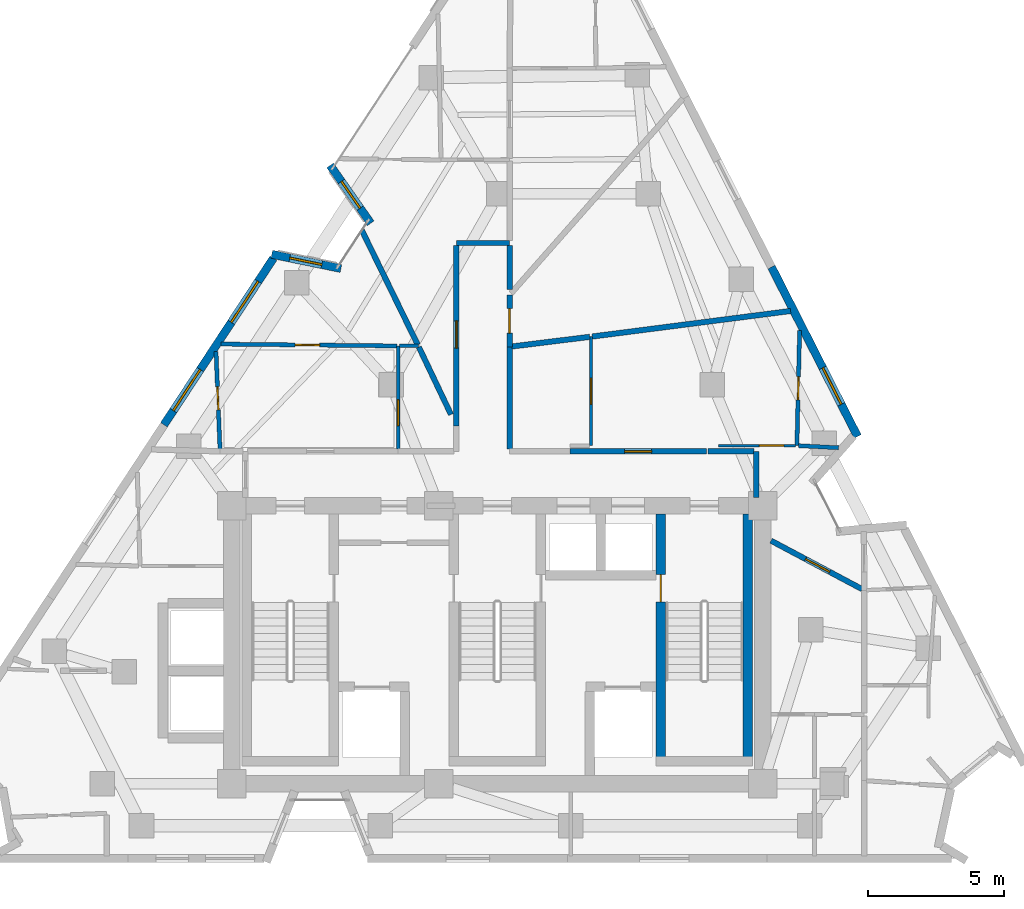
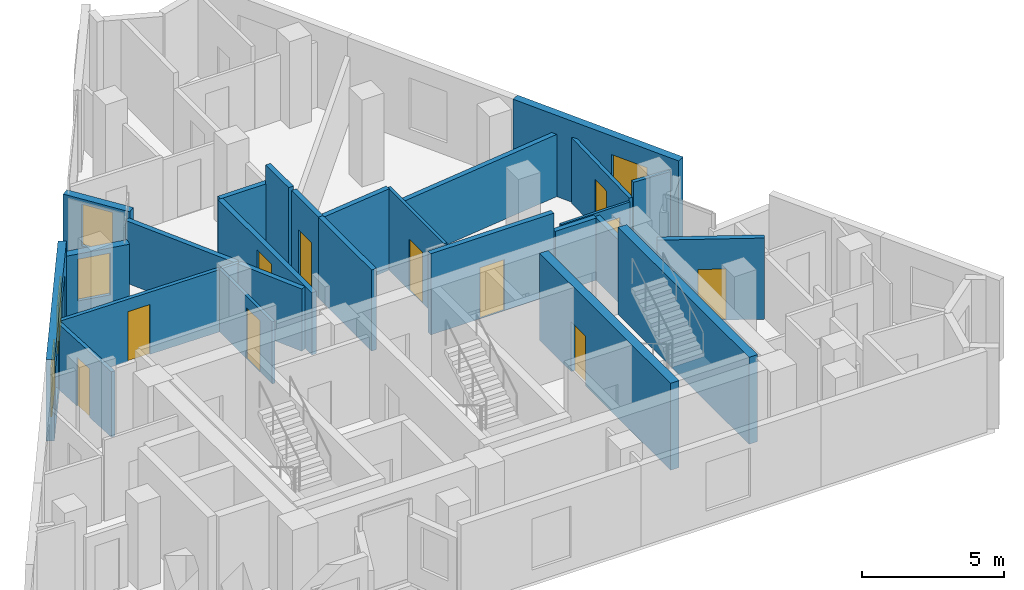
# One storey, part 7 of 10: 27 walls, 11 doors, 5 windows, 16 openings.
"""IFC4 building model written with IfcOpenShell, lengths in metres."""

from ifc_helpers import new_model, si_unit, direction, frame, frame_2d, origin, place, context, subcontext, project, spatial, rectangle, extrude, material, layer, layer_set, type_object, element, fill, save


model = new_model("IFC4")

# Units and contexts
model_context = context("Model", 3, precision=1e-05, world=origin(), true_north=direction((0.0, 1.0)))
body_context = subcontext(model_context, "Body", "Model", "MODEL_VIEW")
ifc_project = project(units=[si_unit("LENGTHUNIT", "METRE"), si_unit("AREAUNIT", "SQUARE_METRE"), si_unit("VOLUMEUNIT", "CUBIC_METRE"), si_unit("PLANEANGLEUNIT", "RADIAN"), si_unit("MASSUNIT", "GRAM", prefix="KILO")], contexts=[model_context])

# Site, building, storey
site_placement = place(None, origin())
site = spatial("IfcSite", under=ifc_project, at=site_placement, CompositionType="ELEMENT")
building_placement = place(site_placement, origin())
building = spatial("IfcBuilding", under=site, at=building_placement, Name="Almagre Mirador Tower", CompositionType="ELEMENT")
storey_placement = place(building_placement, frame((0.0, 0.0, 233.25)))
storey = spatial("IfcBuildingStorey", under=building, at=storey_placement, Name="L60", CompositionType="ELEMENT", Elevation=233.25)

# Wall, opening, window
ifc_material_1 = material(Name="Precast concrete C50/60", Category="concrete")
ifc_layer_1 = layer(ifc_material_1, 0.300048828125)
ifc_layer_set_1 = layer_set([ifc_layer_1], Name="Precast concrete C50/60")
wall_type_1 = type_object("IfcWallType", Name="WAL-EXT-300", PredefinedType="SOLIDWALL", material=ifc_layer_set_1)
wall_1_placement = place(storey_placement, frame((29.018798828125, 23.986083984375, 0.0), z_axis=(0.0, 0.0, 1.0), x_axis=(0.97951660883, -0.201363385515, 0.0)))
wall_1 = element("IfcWall", 1, at=wall_1_placement, inside=storey, type_object=wall_type_1, Name="L60 expressed almagre precast frame wall 01", PredefinedType="SOLIDWALL", context=body_context, shape_type="SweptSolid", body=[
    extrude(rectangle(XDim=2.593505859375, YDim=0.300048828125, at=frame_2d((1.296875, 0.0))), origin(), (0.0, 0.0, 1.0), 2.824951171875),
])
opening_1_placement = place(wall_1_placement, frame((0.675048828125, 0.0, 0.800048828125)))
opening_1 = element("IfcOpeningElement", 2, at=opening_1_placement, cuts=wall_1, Name="Opening WN-04", PredefinedType="OPENING", context=body_context, shape_type="SweptSolid", body=[
    extrude(rectangle(XDim=1.199951171875, YDim=1.800048828125, at=frame_2d((0.60009765625, 0.89990234375))), frame((0.0, 0.159902, 0.0), z_axis=(0.0, -1.0, 0.0), x_axis=(1.0, 0.0, 0.0)), (0.0, 0.0, 1.0), 0.320049),
])
ifc_material_2 = material(Name="Dark solar-control laminated hurricane glass", Category="glass")
window_type_1 = type_object("IfcWindowType", Name="WIN-1200X1800", PartitioningType="SINGLE_PANEL", PredefinedType="WINDOW", material=ifc_material_2)
window_1_placement = place(opening_1_placement, origin())
window_1 = element("IfcWindow", 3, at=window_1_placement, inside=storey, type_object=window_type_1, Name="L60 recessed hurricane window L60-UF-MB", OverallHeight=1.800048828125, OverallWidth=1.199951171875, PartitioningType="SINGLE_PANEL", PredefinedType="WINDOW", context=body_context, shape_type="SweptSolid", body=[
    extrude(rectangle(XDim=1.199951171875, YDim=1.800048828125, at=frame_2d((0.60009765625, 0.89990234375))), frame((0.0, 0.030029296875, 0.0), z_axis=(0.0, -1.0, 0.0), x_axis=(1.0, 0.0, 0.0)), (0.0, 0.0, 1.0), 0.06005859375),
])
fill(opening_1, window_1)

wall_2_placement = place(storey_placement, frame((32.650390625, 25.12451171875, 0.0), z_axis=(0.0, 0.0, 1.0), x_axis=(-0.573967598523, 0.818878010356, 0.0)))
wall_2 = element("IfcWall", 4, at=wall_2_placement, inside=storey, type_object=wall_type_1, Name="L60 expressed almagre precast frame wall 02", PredefinedType="SOLIDWALL", context=body_context, shape_type="SweptSolid", body=[
    extrude(rectangle(XDim=2.59375, YDim=0.300048828125, at=frame_2d((1.296875, 0.0))), origin(), (0.0, 0.0, 1.0), 2.824951171875),
])
opening_2_placement = place(wall_2_placement, frame((0.675048828125, 0.0, 0.800048828125)))
opening_2 = element("IfcOpeningElement", 5, at=opening_2_placement, cuts=wall_2, Name="Opening WN-04", PredefinedType="OPENING", context=body_context, shape_type="SweptSolid", body=[
    extrude(rectangle(XDim=1.199951171875, YDim=1.800048828125, at=frame_2d((0.60009765625, 0.89990234375))), frame((0.0, 0.159902, 0.0), z_axis=(0.0, -1.0, 0.0), x_axis=(1.0, 0.0, 0.0)), (0.0, 0.0, 1.0), 0.320049),
])
window_2_placement = place(opening_2_placement, origin())
window_2 = element("IfcWindow", 6, at=window_2_placement, inside=storey, type_object=window_type_1, Name="L60 recessed hurricane window L60-UJ-ST", OverallHeight=1.800048828125, OverallWidth=1.199951171875, PartitioningType="SINGLE_PANEL", PredefinedType="WINDOW", context=body_context, shape_type="SweptSolid", body=[
    extrude(rectangle(XDim=1.199951171875, YDim=1.800048828125, at=frame_2d((0.60009765625, 0.89990234375))), frame((0.0, 0.030029296875, 0.0), z_axis=(0.0, -1.0, 0.0), x_axis=(1.0, 0.0, 0.0)), (0.0, 0.0, 1.0), 0.06005859375),
])
fill(opening_2, window_2)

wall_3_placement = place(storey_placement, frame((47.369140625, 23.515625, 0.0), z_axis=(0.0, 0.0, 1.0), x_axis=(0.452872520075, -0.891575280367, 0.0)))
wall_3 = element("IfcWall", 7, at=wall_3_placement, inside=storey, type_object=wall_type_1, Name="L60 expressed almagre precast frame wall 10", PredefinedType="SOLIDWALL", context=body_context, shape_type="SweptSolid", body=[
    extrude(rectangle(XDim=6.97802734375, YDim=0.300048828125, at=frame_2d((3.489013671875, 0.0))), origin(), (0.0, 0.0, 1.0), 3.5),
])
opening_3_placement = place(wall_3_placement, frame((4.14990234375, 0.0, 0.60009765625)))
opening_3 = element("IfcOpeningElement", 8, at=opening_3_placement, cuts=wall_3, Name="Opening WN-03", PredefinedType="OPENING", context=body_context, shape_type="SweptSolid", body=[
    extrude(rectangle(XDim=1.5, YDim=2.10009765625, at=frame_2d((0.75, 1.050048828125))), frame((0.0, 0.159902, 0.0), z_axis=(0.0, -1.0, 0.0), x_axis=(1.0, 0.0, 0.0)), (0.0, 0.0, 1.0), 0.320049),
])
ifc_material_3 = material(Name="Dark solar-control laminated hurricane glass", Category="glass")
window_type_2 = type_object("IfcWindowType", Name="WIN-1500X2100", PartitioningType="DOUBLE_PANEL_VERTICAL", PredefinedType="WINDOW", material=ifc_material_3)
window_3_placement = place(opening_3_placement, origin())
window_3 = element("IfcWindow", 9, at=window_3_placement, inside=storey, type_object=window_type_2, Name="L60 recessed hurricane window L60-UG-HB", OverallHeight=2.10009765625, OverallWidth=1.5, PartitioningType="SINGLE_PANEL", PredefinedType="WINDOW", context=body_context, shape_type="SweptSolid", body=[
    extrude(rectangle(XDim=1.5, YDim=2.10009765625, at=frame_2d((0.75, 1.050048828125))), frame((0.0, 0.030029296875, 0.0), z_axis=(0.0, -1.0, 0.0), x_axis=(1.0, 0.0, 0.0)), (0.0, 0.0, 1.0), 0.06005859375),
])
fill(opening_3, window_3)

# Wall, openings, windows
wall_4_placement = place(storey_placement, frame((25.0615234375, 17.725341796875, 0.0), z_axis=(0.0, 0.0, 1.0), x_axis=(0.549051383212, 0.835788596831, 0.0)))
wall_4 = element("IfcWall", 10, at=wall_4_placement, inside=storey, type_object=wall_type_1, Name="L60 expressed almagre precast frame wall 32", PredefinedType="SOLIDWALL", context=body_context, shape_type="SweptSolid", body=[
    extrude(rectangle(XDim=7.3173828125, YDim=0.300048828125, at=frame_2d((3.65869140625, 0.0))), origin(), (0.0, 0.0, 1.0), 3.5),
])
opening_4_placement = place(wall_4_placement, frame((0.625, 0.0, 0.60009765625)))
opening_4 = element("IfcOpeningElement", 11, at=opening_4_placement, cuts=wall_4, Name="Opening WN-01", PredefinedType="OPENING", context=body_context, shape_type="SweptSolid", body=[
    extrude(rectangle(XDim=1.800048828125, YDim=2.10009765625, at=frame_2d((0.89990234375, 1.050048828125))), frame((0.0, 0.159902, 0.0), z_axis=(0.0, -1.0, 0.0), x_axis=(1.0, 0.0, 0.0)), (0.0, 0.0, 1.0), 0.320049),
])
opening_5_placement = place(wall_4_placement, frame((4.5, 0.0, 0.60009765625)))
opening_5 = element("IfcOpeningElement", 12, at=opening_5_placement, cuts=wall_4, Name="Opening WN-01", PredefinedType="OPENING", context=body_context, shape_type="SweptSolid", body=[
    extrude(rectangle(XDim=1.800048828125, YDim=2.10009765625, at=frame_2d((0.89990234375, 1.050048828125))), frame((0.0, 0.159902, 0.0), z_axis=(0.0, -1.0, 0.0), x_axis=(1.0, 0.0, 0.0)), (0.0, 0.0, 1.0), 0.320049),
])
ifc_material_4 = material(Name="Dark solar-control laminated hurricane glass", Category="glass")
window_type_3 = type_object("IfcWindowType", Name="WIN-1800X2100", PartitioningType="DOUBLE_PANEL_VERTICAL", PredefinedType="WINDOW", material=ifc_material_4)
window_4_placement = place(opening_4_placement, origin())
window_4 = element("IfcWindow", 13, at=window_4_placement, inside=storey, type_object=window_type_3, Name="L60 recessed hurricane window L60-UF-HB", OverallHeight=2.10009765625, OverallWidth=1.800048828125, PartitioningType="SINGLE_PANEL", PredefinedType="WINDOW", context=body_context, shape_type="SweptSolid", body=[
    extrude(rectangle(XDim=1.800048828125, YDim=2.10009765625, at=frame_2d((0.89990234375, 1.050048828125))), frame((0.0, 0.030029296875, 0.0), z_axis=(0.0, -1.0, 0.0), x_axis=(1.0, 0.0, 0.0)), (0.0, 0.0, 1.0), 0.06005859375),
])
fill(opening_4, window_4)
window_5_placement = place(opening_5_placement, origin())
window_5 = element("IfcWindow", 14, at=window_5_placement, inside=storey, type_object=window_type_3, Name="L60 recessed hurricane window L60-UF-MB", OverallHeight=2.10009765625, OverallWidth=1.800048828125, PartitioningType="SINGLE_PANEL", PredefinedType="WINDOW", context=body_context, shape_type="SweptSolid", body=[
    extrude(rectangle(XDim=1.800048828125, YDim=2.10009765625, at=frame_2d((0.89990234375, 1.050048828125))), frame((0.0, 0.030029296875, 0.0), z_axis=(0.0, -1.0, 0.0), x_axis=(1.0, 0.0, 0.0)), (0.0, 0.0, 1.0), 0.06005859375),
])
fill(opening_5, window_5)

# Wall, opening, door
ifc_material_5 = material(Name="Gypsum acoustic stud partition", Category="other")
ifc_layer_2 = layer(ifc_material_5, 0.10009765625)
ifc_layer_set_2 = layer_set([ifc_layer_2], Name="Gypsum acoustic stud partition")
wall_type_2 = type_object("IfcWallType", Name="WAL-PRT-100-CLS", PredefinedType="PARTITIONING", material=ifc_layer_set_2)
wall_5_placement = place(storey_placement, frame((45.419921875, 16.9599609375, 0.0), z_axis=(0.0, 0.0, 1.0), x_axis=(1.0, 0.0, 0.0)))
wall_5 = element("IfcWall", 15, at=wall_5_placement, inside=storey, type_object=wall_type_2, Name="L60 interior partition 053", PredefinedType="PARTITIONING", context=body_context, shape_type="SweptSolid", body=[
    extrude(rectangle(XDim=2.820068359375, YDim=0.10009765625, at=frame_2d((1.41015625, 0.0))), origin(), (0.0, 0.0, 1.0), 2.68505859375),
])
opening_6_placement = place(wall_5_placement, frame((1.5, 0.0, 0.0)))
opening_6 = element("IfcOpeningElement", 16, at=opening_6_placement, cuts=wall_5, Name="Opening UD-02", PredefinedType="OPENING", context=body_context, shape_type="SweptSolid", body=[
    extrude(rectangle(XDim=0.89990234375, YDim=2.14990234375, at=frame_2d((0.449951171875, 1.074951171875))), frame((0.0, 0.060049, 0.0), z_axis=(0.0, -1.0, 0.0), x_axis=(1.0, 0.0, 0.0)), (0.0, 0.0, 1.0), 0.120098),
])
ifc_material_6 = material(Name="Solid American walnut timber", Category="wood")
door_type_1 = type_object("IfcDoorType", Name="DOR-UNR-900X2150", OperationType="NOTDEFINED", PredefinedType="DOOR", material=ifc_material_6)
door_1_placement = place(opening_6_placement, origin())
door_1 = element("IfcDoor", 17, at=door_1_placement, inside=storey, type_object=door_type_1, Name="DR-1855 L60 interior door L60-UG-LV to L60-UG-MB", OperationType="SINGLE_SWING_RIGHT", OverallHeight=2.14990234375, OverallWidth=0.89990234375, PredefinedType="DOOR", context=body_context, shape_type="SweptSolid", body=[
    extrude(rectangle(XDim=0.89990234375, YDim=2.14990234375, at=frame_2d((0.449951171875, 1.074951171875))), frame((0.0, 0.02490234375, 0.0), z_axis=(0.0, -1.0, 0.0), x_axis=(1.0, 0.0, 0.0)), (0.0, 0.0, 1.0), 0.050048828125),
])
fill(opening_6, door_1)

ifc_material_7 = material(Name="Gypsum acoustic stud partition", Category="other")
ifc_layer_3 = layer(ifc_material_7, 0.125)
ifc_layer_set_3 = layer_set([ifc_layer_3], Name="Gypsum acoustic stud partition")
wall_type_3 = type_object("IfcWallType", Name="WAL-PRT-125-UTL", PredefinedType="PARTITIONING", material=ifc_layer_set_3)
wall_6_placement = place(storey_placement, frame((33.659912109375, 16.8349609375, 0.0), z_axis=(0.0, 0.0, 1.0), x_axis=(0.0, 1.0, 0.0)))
wall_6 = element("IfcWall", 18, at=wall_6_placement, inside=storey, type_object=wall_type_3, Name="L60 interior partition 045", PredefinedType="PARTITIONING", context=body_context, shape_type="SweptSolid", body=[
    extrude(rectangle(XDim=3.78515625, YDim=0.125, at=frame_2d((1.892578125, 0.0))), origin(), (0.0, 0.0, 1.0), 2.68505859375),
])
opening_7_placement = place(wall_6_placement, frame((0.8583984375, 0.0, 0.0)))
opening_7 = element("IfcOpeningElement", 19, at=opening_7_placement, cuts=wall_6, Name="Opening UD-01", PredefinedType="OPENING", context=body_context, shape_type="SweptSolid", body=[
    extrude(rectangle(XDim=0.949951171875, YDim=2.199951171875, at=frame_2d((0.47509765625, 1.10009765625))), frame((0.0, 0.0725, 0.0), z_axis=(0.0, -1.0, 0.0), x_axis=(1.0, 0.0, 0.0)), (0.0, 0.0, 1.0), 0.145),
])
ifc_material_8 = material(Name="Solid American walnut timber", Category="wood")
door_type_2 = type_object("IfcDoorType", Name="DOR-UNR-950X2200", OperationType="NOTDEFINED", PredefinedType="DOOR", material=ifc_material_8)
door_2_placement = place(opening_7_placement, origin())
door_2 = element("IfcDoor", 20, at=door_2_placement, inside=storey, type_object=door_type_2, Name="DR-1849 L60 interior door L60-UF-LV to L60-UF-KT", OperationType="SINGLE_SWING_RIGHT", OverallHeight=2.199951171875, OverallWidth=0.949951171875, PredefinedType="DOOR", context=body_context, shape_type="SweptSolid", body=[
    extrude(rectangle(XDim=0.949951171875, YDim=2.199951171875, at=frame_2d((0.47509765625, 1.10009765625))), frame((0.0, 0.02490234375, 0.0), z_axis=(0.0, -1.0, 0.0), x_axis=(1.0, 0.0, 0.0)), (0.0, 0.0, 1.0), 0.050048828125),
])
fill(opening_7, door_2)

# Wall
wall_7_placement = place(storey_placement, frame((34.39990234375, 20.6201171875, 0.0), z_axis=(0.0, 0.0, 1.0), x_axis=(-1.0, 0.0, 0.0)))
element("IfcWall", 21, at=wall_7_placement, inside=storey, type_object=wall_type_3, Name="L60 interior partition 047", PredefinedType="PARTITIONING", context=body_context, shape_type="SweptSolid", body=[
    extrude(rectangle(XDim=0.6923828125, YDim=0.125, at=frame_2d((0.34619140625, 0.0))), origin(), (0.0, 0.0, 1.0), 2.68505859375),
])

# Wall, opening, door
wall_8_placement = place(storey_placement, frame((40.739990234375, 20.9599609375, 0.0), z_axis=(0.0, 0.0, 1.0), x_axis=(0.0, -1.0, 0.0)))
wall_8 = element("IfcWall", 22, at=wall_8_placement, inside=storey, type_object=wall_type_3, Name="L60 interior partition 051", PredefinedType="PARTITIONING", context=body_context, shape_type="SweptSolid", body=[
    extrude(rectangle(XDim=4.0, YDim=0.125, at=frame_2d((2.0, 0.0))), origin(), (0.0, 0.0, 1.0), 3.5),
])
opening_8_placement = place(wall_8_placement, frame((1.52490234375, 0.0, 0.0)))
opening_8 = element("IfcOpeningElement", 23, at=opening_8_placement, cuts=wall_8, Name="Opening UD-01", PredefinedType="OPENING", context=body_context, shape_type="SweptSolid", body=[
    extrude(rectangle(XDim=0.949951171875, YDim=2.199951171875, at=frame_2d((0.47509765625, 1.10009765625))), frame((0.0, 0.0725, 0.0), z_axis=(0.0, -1.0, 0.0), x_axis=(1.0, 0.0, 0.0)), (0.0, 0.0, 1.0), 0.145),
])
door_3_placement = place(opening_8_placement, origin())
door_3 = element("IfcDoor", 24, at=door_3_placement, inside=storey, type_object=door_type_2, Name="DR-1853 L60 interior door L60-UG-LV to L60-UG-KT", OperationType="SINGLE_SWING_RIGHT", OverallHeight=2.199951171875, OverallWidth=0.949951171875, PredefinedType="DOOR", context=body_context, shape_type="SweptSolid", body=[
    extrude(rectangle(XDim=0.949951171875, YDim=2.199951171875, at=frame_2d((0.47509765625, 1.10009765625))), frame((0.0, 0.02490234375, 0.0), z_axis=(0.0, -1.0, 0.0), x_axis=(1.0, 0.0, 0.0)), (0.0, 0.0, 1.0), 0.050048828125),
])
fill(opening_8, door_3)

ifc_material_9 = material(Name="Gypsum acoustic stud partition", Category="other")
ifc_layer_4 = layer(ifc_material_9, 0.14990234375)
ifc_layer_set_4 = layer_set([ifc_layer_4], Name="Gypsum acoustic stud partition")
wall_type_4 = type_object("IfcWallType", Name="WAL-PRT-150-STD", PredefinedType="PARTITIONING", material=ifc_layer_set_4)
wall_9_placement = place(storey_placement, frame((26.971923828125, 20.41796875, 0.0), z_axis=(0.0, 0.0, 1.0), x_axis=(0.040645044175, -0.999173648764, 0.0)))
wall_9 = element("IfcWall", 25, at=wall_9_placement, inside=storey, type_object=wall_type_4, Name="L60 interior partition 044", PredefinedType="PARTITIONING", context=body_context, shape_type="SweptSolid", body=[
    extrude(rectangle(XDim=3.5859375, YDim=0.14990234375, at=frame_2d((1.79296875, 0.0))), origin(), (0.0, 0.0, 1.0), 2.820068359375),
])
opening_9_placement = place(wall_9_placement, frame((1.29833984375, 0.0, 0.0)))
opening_9 = element("IfcOpeningElement", 26, at=opening_9_placement, cuts=wall_9, Name="Opening UD-04", PredefinedType="OPENING", context=body_context, shape_type="SweptSolid", body=[
    extrude(rectangle(XDim=0.85009765625, YDim=2.10009765625, at=frame_2d((0.425048828125, 1.050048828125))), frame((0.0, 0.084951, 0.0), z_axis=(0.0, -1.0, 0.0), x_axis=(1.0, 0.0, 0.0)), (0.0, 0.0, 1.0), 0.169902),
])
ifc_material_10 = material(Name="Moisture-resistant oak timber", Category="wood")
door_type_3 = type_object("IfcDoorType", Name="DOR-UNR-850X2100", OperationType="NOTDEFINED", PredefinedType="DOOR", material=ifc_material_10)
door_4_placement = place(opening_9_placement, origin())
door_4 = element("IfcDoor", 27, at=door_4_placement, inside=storey, type_object=door_type_3, Name="DR-1850 L60 interior door L60-UF-LV to L60-UF-HB", OperationType="SINGLE_SWING_LEFT", OverallHeight=2.10009765625, OverallWidth=0.85009765625, PredefinedType="DOOR", context=body_context, shape_type="SweptSolid", body=[
    extrude(rectangle(XDim=0.85009765625, YDim=2.10009765625, at=frame_2d((0.425048828125, 1.050048828125))), frame((0.0, 0.02490234375, 0.0), z_axis=(0.0, -1.0, 0.0), x_axis=(1.0, 0.0, 0.0)), (0.0, 0.0, 1.0), 0.050048828125),
])
fill(opening_9, door_4)

wall_10_placement = place(storey_placement, frame((33.612548828125, 20.620361328125, 0.0), z_axis=(0.0, 0.0, 1.0), x_axis=(-0.999945270441, 0.010462128042, 0.0)))
wall_10 = element("IfcWall", 28, at=wall_10_placement, inside=storey, type_object=wall_type_4, Name="L60 interior partition 046", PredefinedType="PARTITIONING", context=body_context, shape_type="SweptSolid", body=[
    extrude(rectangle(XDim=6.4638671875, YDim=0.14990234375, at=frame_2d((3.23193359375, 0.0))), origin(), (0.0, 0.0, 1.0), 2.68505859375),
])
opening_10_placement = place(wall_10_placement, frame((2.835205078125, 0.0, 0.0)))
opening_10 = element("IfcOpeningElement", 29, at=opening_10_placement, cuts=wall_10, Name="Opening UD-02", PredefinedType="OPENING", context=body_context, shape_type="SweptSolid", body=[
    extrude(rectangle(XDim=0.89990234375, YDim=2.14990234375, at=frame_2d((0.449951171875, 1.074951171875))), frame((0.0, 0.084951, 0.0), z_axis=(0.0, -1.0, 0.0), x_axis=(1.0, 0.0, 0.0)), (0.0, 0.0, 1.0), 0.169902),
])
door_5_placement = place(opening_10_placement, origin())
door_5 = element("IfcDoor", 30, at=door_5_placement, inside=storey, type_object=door_type_1, Name="DR-1851 L60 interior door L60-UF-LV to L60-UF-MB", OperationType="SINGLE_SWING_RIGHT", OverallHeight=2.14990234375, OverallWidth=0.89990234375, PredefinedType="DOOR", context=body_context, shape_type="SweptSolid", body=[
    extrude(rectangle(XDim=0.89990234375, YDim=2.14990234375, at=frame_2d((0.449951171875, 1.074951171875))), frame((0.0, 0.02490234375, 0.0), z_axis=(0.0, -1.0, 0.0), x_axis=(1.0, 0.0, 0.0)), (0.0, 0.0, 1.0), 0.050048828125),
])
fill(opening_10, door_5)

wall_11_placement = place(storey_placement, frame((48.300048828125, 16.9599609375, 0.0), z_axis=(0.0, 0.0, 1.0), x_axis=(0.023576446584, 0.999722036951, 0.0)))
wall_11 = element("IfcWall", 31, at=wall_11_placement, inside=storey, type_object=wall_type_4, Name="L60 interior partition 050", PredefinedType="PARTITIONING", context=body_context, shape_type="SweptSolid", body=[
    extrude(rectangle(XDim=4.2353515625, YDim=0.14990234375, at=frame_2d((2.11767578125, 0.0))), origin(), (0.0, 0.0, 1.0), 2.820068359375),
])
opening_11_placement = place(wall_11_placement, frame((1.6787109375, 0.0, 0.0)))
opening_11 = element("IfcOpeningElement", 32, at=opening_11_placement, cuts=wall_11, Name="Opening UD-04", PredefinedType="OPENING", context=body_context, shape_type="SweptSolid", body=[
    extrude(rectangle(XDim=0.85009765625, YDim=2.10009765625, at=frame_2d((0.425048828125, 1.050048828125))), frame((0.0, 0.084951, 0.0), z_axis=(0.0, -1.0, 0.0), x_axis=(1.0, 0.0, 0.0)), (0.0, 0.0, 1.0), 0.169902),
])
door_6_placement = place(opening_11_placement, origin())
door_6 = element("IfcDoor", 33, at=door_6_placement, inside=storey, type_object=door_type_3, Name="DR-1854 L60 interior door L60-UG-LV to L60-UG-HB", OperationType="SINGLE_SWING_LEFT", OverallHeight=2.10009765625, OverallWidth=0.85009765625, PredefinedType="DOOR", context=body_context, shape_type="SweptSolid", body=[
    extrude(rectangle(XDim=0.85009765625, YDim=2.10009765625, at=frame_2d((0.425048828125, 1.050048828125))), frame((0.0, 0.02490234375, 0.0), z_axis=(0.0, -1.0, 0.0), x_axis=(1.0, 0.0, 0.0)), (0.0, 0.0, 1.0), 0.050048828125),
])
fill(opening_11, door_6)

# Wall
wall_12_placement = place(storey_placement, frame((48.360107421875, 16.9580078125, 0.0), z_axis=(0.0, 0.0, 1.0), x_axis=(0.998641489287, -0.052107349532, 0.0)))
element("IfcWall", 34, at=wall_12_placement, inside=storey, type_object=wall_type_4, Name="L60 interior partition 055", PredefinedType="PARTITIONING", context=body_context, shape_type="SweptSolid", body=[
    extrude(rectangle(XDim=1.475830078125, YDim=0.14990234375, at=frame_2d((0.73779296875, 0.0))), origin(), (0.0, 0.0, 1.0), 3.5),
])

# Wall, opening, door
ifc_material_11 = material(Name="Gypsum acoustic stud partition", Category="other")
ifc_layer_5 = layer(ifc_material_11, 0.199951171875)
ifc_layer_set_5 = layer_set([ifc_layer_5], Name="Gypsum acoustic stud partition")
wall_type_5 = type_object("IfcWallType", Name="WAL-PRT-200-EI60", PredefinedType="PARTITIONING", material=ifc_layer_set_5)
wall_13_placement = place(storey_placement, frame((44.97998046875, 16.75, 0.0), z_axis=(0.0, 0.0, 1.0), x_axis=(-1.0, 0.0, 0.0)))
wall_13 = element("IfcWall", 35, at=wall_13_placement, inside=storey, type_object=wall_type_5, Name="L60 interior partition 005", PredefinedType="PARTITIONING", context=body_context, shape_type="SweptSolid", body=[
    extrude(rectangle(XDim=5.02001953125, YDim=0.199951171875, at=frame_2d((2.510009765625, 0.0))), origin(), (0.0, 0.0, 1.0), 3.5),
])
opening_12_placement = place(wall_13_placement, frame((2.010009765625, 0.0, 0.0)))
opening_12 = element("IfcOpeningElement", 36, at=opening_12_placement, cuts=wall_13, Name="Opening ID-01", PredefinedType="OPENING", context=body_context, shape_type="SweptSolid", body=[
    extrude(rectangle(XDim=1.0, YDim=2.199951171875, at=frame_2d((0.5, 1.10009765625))), frame((0.0, 0.110098, 0.0), z_axis=(0.0, -1.0, 0.0), x_axis=(1.0, 0.0, 0.0)), (0.0, 0.0, 1.0), 0.219951),
])
ifc_material_12 = material(Name="Fire-rated walnut timber", Category="wood")
door_type_4 = type_object("IfcDoorType", Name="DOR-FD60-1000X2200", OperationType="NOTDEFINED", PredefinedType="DOOR", material=ifc_material_12)
door_7_placement = place(opening_12_placement, origin())
door_7 = element("IfcDoor", 37, at=door_7_placement, inside=storey, type_object=door_type_4, Name="DR-1852 L60 interior door L60-RCOR to L60-UG-LV", OperationType="SINGLE_SWING_LEFT", OverallHeight=2.199951171875, OverallWidth=1.0, PredefinedType="DOOR", context=body_context, shape_type="SweptSolid", body=[
    extrude(rectangle(XDim=1.0, YDim=2.199951171875, at=frame_2d((0.5, 1.10009765625))), frame((0.0, 0.02490234375, 0.0), z_axis=(0.0, -1.0, 0.0), x_axis=(1.0, 0.0, 0.0)), (0.0, 0.0, 1.0), 0.050048828125),
])
fill(opening_12, door_7)

# Walls
wall_14_placement = place(storey_placement, frame((37.75, 16.8349609375, 0.0), z_axis=(0.0, 0.0, 1.0), x_axis=(0.0, 1.0, 0.0)))
element("IfcWall", 38, at=wall_14_placement, inside=storey, type_object=wall_type_5, Name="L60 interior partition 007", PredefinedType="PARTITIONING", context=body_context, shape_type="SweptSolid", body=[
    extrude(rectangle(XDim=3.755126953125, YDim=0.199951171875, at=frame_2d((1.87744140625, 0.0))), origin(), (0.0, 0.0, 1.0), 3.5),
])
wall_15_placement = place(storey_placement, frame((46.800048828125, 15.050048828125, 0.0), z_axis=(0.0, 0.0, 1.0), x_axis=(0.0, 1.0, 0.0)))
element("IfcWall", 39, at=wall_15_placement, inside=storey, type_object=wall_type_5, Name="L60 interior partition 008", PredefinedType="PARTITIONING", context=body_context, shape_type="SweptSolid", body=[
    extrude(rectangle(XDim=1.699951171875, YDim=0.199951171875, at=frame_2d((0.85009765625, 0.0))), origin(), (0.0, 0.0, 1.0), 2.68505859375),
])
wall_16_placement = place(storey_placement, frame((46.715087890625, 16.75, 0.0), z_axis=(0.0, 0.0, 1.0), x_axis=(-1.0, 0.0, 0.0)))
element("IfcWall", 40, at=wall_16_placement, inside=storey, type_object=wall_type_5, Name="L60 interior partition 009", PredefinedType="PARTITIONING", context=body_context, shape_type="SweptSolid", body=[
    extrude(rectangle(XDim=1.675048828125, YDim=0.199951171875, at=frame_2d((0.83740234375, 0.0))), origin(), (0.0, 0.0, 1.0), 2.68505859375),
])

# Wall, opening, door
wall_17_placement = place(storey_placement, frame((37.75, 20.590087890625, 0.0), z_axis=(0.0, 0.0, 1.0), x_axis=(0.0, 1.0, 0.0)))
wall_17 = element("IfcWall", 41, at=wall_17_placement, inside=storey, type_object=wall_type_5, Name="L60 interior partition 010", PredefinedType="PARTITIONING", context=body_context, shape_type="SweptSolid", body=[
    extrude(rectangle(XDim=1.89990234375, YDim=0.199951171875, at=frame_2d((0.949951171875, 0.0))), origin(), (0.0, 0.0, 1.0), 3.5),
])
opening_13_placement = place(wall_17_placement, frame((0.5, 0.0, 0.0)))
opening_13 = element("IfcOpeningElement", 42, at=opening_13_placement, cuts=wall_17, Name="Opening ID-03", PredefinedType="OPENING", context=body_context, shape_type="SweptSolid", body=[
    extrude(rectangle(XDim=0.89990234375, YDim=2.10009765625, at=frame_2d((0.449951171875, 1.050048828125))), frame((0.0, 0.110098, 0.0), z_axis=(0.0, -1.0, 0.0), x_axis=(1.0, 0.0, 0.0)), (0.0, 0.0, 1.0), 0.219951),
])
ifc_material_13 = material(Name="Fire-rated hollow steel", Category="steel")
door_type_5 = type_object("IfcDoorType", Name="DOR-FD60-900X2100", OperationType="NOTDEFINED", PredefinedType="DOOR", material=ifc_material_13)
door_8_placement = place(opening_13_placement, origin())
door_8 = element("IfcDoor", 43, at=door_8_placement, inside=storey, type_object=door_type_5, Name="DR-1839 L60 interior door L60-RCOR to L60-RST-H", OperationType="SINGLE_SWING_LEFT", OverallHeight=2.10009765625, OverallWidth=0.89990234375, PredefinedType="DOOR", context=body_context, shape_type="SweptSolid", body=[
    extrude(rectangle(XDim=0.89990234375, YDim=2.10009765625, at=frame_2d((0.449951171875, 1.050048828125))), frame((0.0, 0.02490234375, 0.0), z_axis=(0.0, -1.0, 0.0), x_axis=(1.0, 0.0, 0.0)), (0.0, 0.0, 1.0), 0.050048828125),
])
fill(opening_13, door_8)

# Wall
wall_18_placement = place(storey_placement, frame((37.75, 24.39990234375, 0.0), z_axis=(0.0, 0.0, 1.0), x_axis=(-1.0, 0.0, 0.0)))
element("IfcWall", 44, at=wall_18_placement, inside=storey, type_object=wall_type_5, Name="L60 interior partition 011", PredefinedType="PARTITIONING", context=body_context, shape_type="SweptSolid", body=[
    extrude(rectangle(XDim=1.949951171875, YDim=0.199951171875, at=frame_2d((0.97509765625, 0.0))), origin(), (0.0, 0.0, 1.0), 2.68505859375),
])

# Wall, opening, door
wall_19_placement = place(storey_placement, frame((35.800048828125, 24.31494140625, 0.0), z_axis=(0.0, 0.0, 1.0), x_axis=(0.0, -1.0, 0.0)))
wall_19 = element("IfcWall", 45, at=wall_19_placement, inside=storey, type_object=wall_type_5, Name="L60 interior partition 012", PredefinedType="PARTITIONING", context=body_context, shape_type="SweptSolid", body=[
    extrude(rectangle(XDim=6.635009765625, YDim=0.199951171875, at=frame_2d((3.3173828125, 0.0))), origin(), (0.0, 0.0, 1.0), 2.68505859375),
])
opening_14_placement = place(wall_19_placement, frame((2.77490234375, 0.0, 0.0)))
opening_14 = element("IfcOpeningElement", 46, at=opening_14_placement, cuts=wall_19, Name="Opening ID-01", PredefinedType="OPENING", context=body_context, shape_type="SweptSolid", body=[
    extrude(rectangle(XDim=1.0, YDim=2.199951171875, at=frame_2d((0.5, 1.10009765625))), frame((0.0, 0.110098, 0.0), z_axis=(0.0, -1.0, 0.0), x_axis=(1.0, 0.0, 0.0)), (0.0, 0.0, 1.0), 0.219951),
])
door_9_placement = place(opening_14_placement, origin())
door_9 = element("IfcDoor", 47, at=door_9_placement, inside=storey, type_object=door_type_4, Name="DR-1856 L60 interior door L60-RCOR to L60-UJ-ST", OperationType="SINGLE_SWING_LEFT", OverallHeight=2.199951171875, OverallWidth=1.0, PredefinedType="DOOR", context=body_context, shape_type="SweptSolid", body=[
    extrude(rectangle(XDim=1.0, YDim=2.199951171875, at=frame_2d((0.5, 1.10009765625))), frame((0.0, 0.02490234375, 0.0), z_axis=(0.0, -1.0, 0.0), x_axis=(1.0, 0.0, 0.0)), (0.0, 0.0, 1.0), 0.050048828125),
])
fill(opening_14, door_9)

# Wall
wall_20_placement = place(storey_placement, frame((37.75, 22.68505859375, 0.0), z_axis=(0.0, 0.0, 1.0), x_axis=(0.0, 1.0, 0.0)))
element("IfcWall", 48, at=wall_20_placement, inside=storey, type_object=wall_type_5, Name="L60 interior partition 013", PredefinedType="PARTITIONING", context=body_context, shape_type="SweptSolid", body=[
    extrude(rectangle(XDim=1.6298828125, YDim=0.199951171875, at=frame_2d((0.81494140625, 0.0))), origin(), (0.0, 0.0, 1.0), 3.5),
])

# Wall, opening, door
wall_21_placement = place(storey_placement, frame((50.695068359375, 11.68994140625, 0.0), z_axis=(0.0, 0.0, 1.0), x_axis=(-0.882785979597, 0.469775386996, 0.0)))
wall_21 = element("IfcWall", 49, at=wall_21_placement, inside=storey, type_object=wall_type_5, Name="L60 interior partition 028", PredefinedType="PARTITIONING", context=body_context, shape_type="SweptSolid", body=[
    extrude(rectangle(XDim=3.7890625, YDim=0.199951171875, at=frame_2d((1.89453125, 0.0))), origin(), (0.0, 0.0, 1.0), 3.5),
])
opening_15_placement = place(wall_21_placement, frame((1.35205078125, 0.0, 0.0)))
opening_15 = element("IfcOpeningElement", 50, at=opening_15_placement, cuts=wall_21, Name="Opening ID-01", PredefinedType="OPENING", context=body_context, shape_type="SweptSolid", body=[
    extrude(rectangle(XDim=1.0, YDim=2.199951171875, at=frame_2d((0.5, 1.10009765625))), frame((0.0, 0.110098, 0.0), z_axis=(0.0, -1.0, 0.0), x_axis=(1.0, 0.0, 0.0)), (0.0, 0.0, 1.0), 0.219951),
])
door_10_placement = place(opening_15_placement, origin())
door_10 = element("IfcDoor", 51, at=door_10_placement, inside=storey, type_object=door_type_4, Name="DR-1862 L60 interior door L60-UC-ST to L60-UG-MB", OperationType="SINGLE_SWING_LEFT", OverallHeight=2.199951171875, OverallWidth=1.0, PredefinedType="DOOR", context=body_context, shape_type="SweptSolid", body=[
    extrude(rectangle(XDim=1.0, YDim=2.199951171875, at=frame_2d((0.5, 1.10009765625))), frame((0.0, 0.02490234375, 0.0), z_axis=(0.0, -1.0, 0.0), x_axis=(1.0, 0.0, 0.0)), (0.0, 0.0, 1.0), 0.050048828125),
])
fill(opening_15, door_10)

# Walls
wall_22_placement = place(storey_placement, frame((35.60009765625, 18.10009765625, 0.0), z_axis=(0.0, 0.0, 1.0), x_axis=(-0.429975029467, 0.902840780002, 0.0)))
element("IfcWall", 52, at=wall_22_placement, inside=storey, type_object=wall_type_5, Name="L60 interior partition 048", PredefinedType="PARTITIONING", context=body_context, shape_type="SweptSolid", body=[
    extrude(rectangle(XDim=2.74365234375, YDim=0.199951171875, at=frame_2d((1.371826171875, 0.0))), origin(), (0.0, 0.0, 1.0), 2.68505859375),
])
wall_23_placement = place(storey_placement, frame((34.379150390625, 20.66259765625, 0.0), z_axis=(0.0, 0.0, 1.0), x_axis=(-0.438742234656, 0.898612959805, 0.0)))
element("IfcWall", 53, at=wall_23_placement, inside=storey, type_object=wall_type_5, Name="L60 interior partition 049", PredefinedType="PARTITIONING", context=body_context, shape_type="SweptSolid", body=[
    extrude(rectangle(XDim=4.6796875, YDim=0.199951171875, at=frame_2d((2.33984375, 0.0))), origin(), (0.0, 0.0, 1.0), 2.68505859375),
])
wall_24_placement = place(storey_placement, frame((48.068115234375, 21.904052734375, 0.0), z_axis=(0.0, 0.0, 1.0), x_axis=(-0.991803716191, -0.127770843899, 0.0)))
element("IfcWall", 54, at=wall_24_placement, inside=storey, type_object=wall_type_5, Name="L60 interior partition 054", PredefinedType="PARTITIONING", context=body_context, shape_type="SweptSolid", body=[
    extrude(rectangle(XDim=7.341064453125, YDim=0.199951171875, at=frame_2d((3.67041015625, 0.0))), origin(), (0.0, 0.0, 1.0), 2.68505859375),
])
wall_25_placement = place(storey_placement, frame((40.69287109375, 20.9541015625, 0.0), z_axis=(0.0, 0.0, 1.0), x_axis=(-0.992428411634, -0.122824459212, 0.0)))
element("IfcWall", 55, at=wall_25_placement, inside=storey, type_object=wall_type_5, Name="L60 interior partition 056", PredefinedType="PARTITIONING", context=body_context, shape_type="SweptSolid", body=[
    extrude(rectangle(XDim=2.880126953125, YDim=0.199951171875, at=frame_2d((1.43994140625, 0.0))), origin(), (0.0, 0.0, 1.0), 3.5),
])

# Wall, opening, door
ifc_material_14 = material(Name="Concrete C60/75", Category="concrete")
ifc_layer_6 = layer(ifc_material_14, 0.35009765625)
ifc_layer_set_6 = layer_set([ifc_layer_6], Name="Concrete C60/75")
wall_type_6 = type_object("IfcWallType", Name="WAL-SHF-350", PredefinedType="SOLIDWALL", material=ifc_layer_set_6)
wall_26_placement = place(storey_placement, frame((43.300048828125, 5.199951171875, 0.0), z_axis=(0.0, 0.0, 1.0), x_axis=(0.0, 1.0, 0.0)))
wall_26 = element("IfcWall", 56, at=wall_26_placement, inside=storey, type_object=wall_type_6, Name="L60 shaft wall ST3-W", PredefinedType="SOLIDWALL", context=body_context, shape_type="SweptSolid", body=[
    extrude(rectangle(XDim=9.25, YDim=0.35009765625, at=frame_2d((4.625, 0.0))), origin(), (0.0, 0.0, 1.0), 3.75),
])
opening_16_placement = place(wall_26_placement, frame((6.02001953125, 0.0, 0.0)))
opening_16 = element("IfcOpeningElement", 57, at=opening_16_placement, cuts=wall_26, Name="Opening FD-01", PredefinedType="OPENING", context=body_context, shape_type="SweptSolid", body=[
    extrude(rectangle(XDim=1.0, YDim=2.14990234375, at=frame_2d((0.5, 1.074951171875))), frame((0.0, 0.185049, 0.0), z_axis=(0.0, -1.0, 0.0), x_axis=(1.0, 0.0, 0.0)), (0.0, 0.0, 1.0), 0.370098),
])
ifc_material_15 = material(Name="Fire-rated hollow steel", Category="steel")
door_type_6 = type_object("IfcDoorType", Name="DOR-FFL-1000X2150", OperationType="NOTDEFINED", PredefinedType="DOOR", material=ifc_material_15)
door_11_placement = place(opening_16_placement, origin())
door_11 = element("IfcDoor", 58, at=door_11_placement, inside=storey, type_object=door_type_6, Name="DR-1838 L60 FFL2-ST3 smokeproof door", OperationType="SINGLE_SWING_RIGHT", OverallHeight=2.14990234375, OverallWidth=1.0, PredefinedType="DOOR", context=body_context, shape_type="SweptSolid", body=[
    extrude(rectangle(XDim=1.0, YDim=2.14990234375, at=frame_2d((0.5, 1.074951171875))), frame((0.0, 0.02490234375, 0.0), z_axis=(0.0, -1.0, 0.0), x_axis=(1.0, 0.0, 0.0)), (0.0, 0.0, 1.0), 0.050048828125),
])
fill(opening_16, door_11)

# Wall
wall_27_placement = place(storey_placement, frame((46.5, 5.199951171875, 0.0), z_axis=(0.0, 0.0, 1.0), x_axis=(0.0, 1.0, 0.0)))
element("IfcWall", 59, at=wall_27_placement, inside=storey, type_object=wall_type_6, Name="L60 shaft wall ST3-E", PredefinedType="SOLIDWALL", context=body_context, shape_type="SweptSolid", body=[
    extrude(rectangle(XDim=9.25, YDim=0.35009765625, at=frame_2d((4.625, 0.0))), origin(), (0.0, 0.0, 1.0), 3.75),
])

save(model, "model.ifc")
